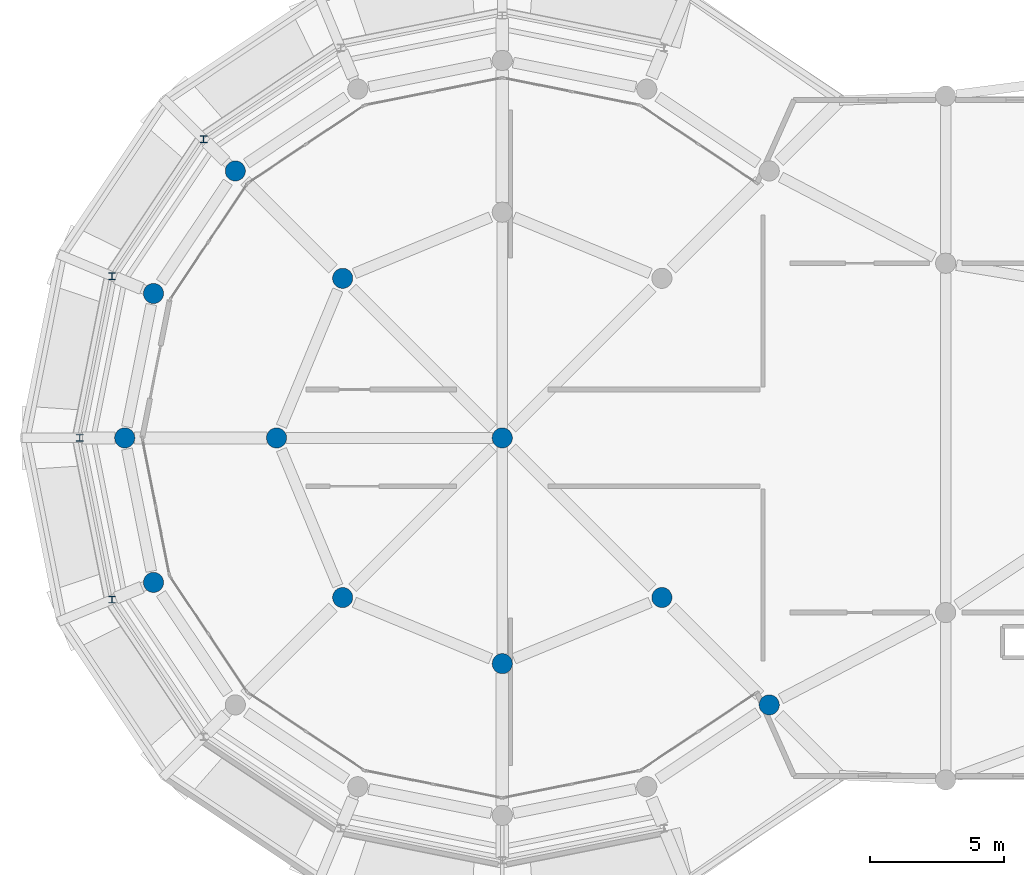
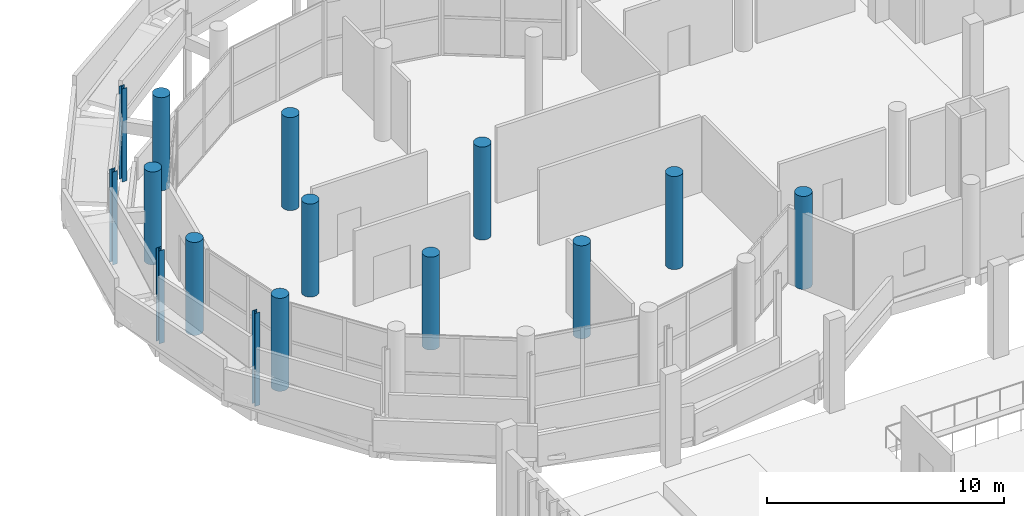
# One storey, part 4 of 106: 15 columns.
"""IFC4 building model written with IfcOpenShell, lengths in metres."""

from ifc_helpers import new_model, si_unit, direction, frame, origin, origin_2d, place, context, subcontext, project, spatial, circle, i_section, extrude, material, material_profile, profile_set, type_object, element, save


model = new_model("IFC4")

# Units and contexts
model_context = context("Model", 3, precision=1e-05, world=origin(), true_north=direction((0.0, 1.0)))
body_context = subcontext(model_context, "Body", "Model", "MODEL_VIEW")
ifc_project = project(units=[si_unit("LENGTHUNIT", "METRE"), si_unit("AREAUNIT", "SQUARE_METRE"), si_unit("VOLUMEUNIT", "CUBIC_METRE"), si_unit("PLANEANGLEUNIT", "RADIAN"), si_unit("MASSUNIT", "GRAM", prefix="KILO")], contexts=[model_context])

# Site, building, storey
site_placement = place(None, origin())
site = spatial("IfcSite", under=ifc_project, at=site_placement, CompositionType="ELEMENT")
building_placement = place(site_placement, origin())
building = spatial("IfcBuilding", under=site, at=building_placement, Name="Jelvoka-Kovrelna Polytechnic", CompositionType="ELEMENT")
storey_placement = place(building_placement, frame((0.0, 0.0, 4.800048828125)))
storey = spatial("IfcBuildingStorey", under=building, at=storey_placement, Name="L02", CompositionType="ELEMENT", Elevation=4.800048828125)

# Columns
ifc_material_1 = material(Name="Concrete C40/50", Category="concrete")
ifc_material_profile_1 = material_profile(ifc_material_1, circle(Radius=0.375, at=origin_2d()), Name="RC D750")
ifc_profile_set_1 = profile_set([ifc_material_profile_1], Name="Concrete C40/50")
column_type_1 = type_object("IfcColumnType", Name="Col_RC_D750", PredefinedType="COLUMN", material=ifc_profile_set_1)
for number, where, z_axis, x_axis, name in (
    (1, (35.434814453125, 32.565185546875, 0.0), (0.0, 0.0, 1.0), (1.0, 0.0, 0.0), "L02 column 0580"),
    (2, (25.5, 34.10009765625, 0.0), (0.0, 0.0, 1.0), (1.0, 0.0, 0.0), "L02 column 0586"),
    (3, (19.560302734375, 36.560302734375, 0.0), (0.0, 0.0, 1.0), (1.0, 0.0, 0.0), "L02 column 0598"),
    (4, (31.439697265625, 36.560302734375, 0.0), (0.0, 0.0, 1.0), (1.0, 0.0, 0.0), "L02 column 0604"),
    (5, (12.51953125, 37.123291015625, 0.0), (0.0, 0.0, 1.0), (1.0, 0.0, 0.0), "L02 column 0610"),
    (6, (11.449951171875, 42.5, 0.0), (0.0, 0.0, 1.0), (1.0, 0.0, 0.0), "L02 column 0756"),
    (7, (17.10009765625, 42.5, 0.0), (0.0, 0.0, 1.0), (1.0, 0.0, 0.0), "L02 column 0762"),
    (8, (25.5, 42.5, 0.0), (0.0, 0.0, 1.0), (1.0, 0.0, 0.0), "L02 column 0768"),
    (9, (12.51953125, 47.876708984375, 0.0), (0.0, 0.0, 1.0), (1.0, 0.0, 0.0), "L02 column 0774"),
    (10, (19.560302734375, 48.439697265625, 0.0), (0.0, 0.0, 1.0), (1.0, 0.0, 0.0), "L02 column 0920"),
    (11, (15.565185546875, 52.434814453125, 0.0), (0.0, 0.0, 1.0), (1.0, 0.0, 0.0), "L02 column 0944"),
):
    element("IfcColumn", number, at=place(storey_placement, frame(where, z_axis=z_axis, x_axis=x_axis)), inside=storey, type_object=column_type_1, Name=name, PredefinedType="COLUMN", context=body_context, shape_type="SweptSolid", body=[
        extrude(circle(Radius=0.375, at=origin_2d()), origin(), (0.0, 0.0, 1.0), 4.800048828125),
    ])
ifc_material_2 = material(Name="Structural steel S355JR", Category="steel")
ifc_material_profile_2 = material_profile(ifc_material_2, i_section(OverallWidth=0.254638671875, OverallDepth=0.254150390625, WebThickness=0.008544921875, FlangeThickness=0.01416015625, FilletRadius=0.0126953125, at=origin_2d()), Name="254x254x73 UC")
ifc_profile_set_2 = profile_set([ifc_material_profile_2], Name="Structural steel S355JR")
column_type_2 = type_object("IfcColumnType", Name="Col_Steel_UC254", PredefinedType="COLUMN", material=ifc_profile_set_2)
for number, where, z_axis, x_axis, name in (
    (12, (14.38427734375, 53.61572265625, 0.0), (0.0, 0.0, 1.0), (1.0, 0.0, 0.0), "L02 recessed rotunda gallery post 1742"),
    (13, (10.9765625, 48.515869140625, 0.0), (0.0, 0.0, 1.0), (1.0, 0.0, 0.0), "L02 recessed rotunda gallery post 1748"),
    (14, (9.780029296875, 42.5, 0.0), (0.0, 0.0, 1.0), (1.0, 0.0, 0.0), "L02 recessed rotunda gallery post 1754"),
    (15, (10.9765625, 36.484130859375, 0.0), (0.0, 0.0, 1.0), (1.0, 0.0, 0.0), "L02 recessed rotunda gallery post 1760"),
):
    element("IfcColumn", number, at=place(storey_placement, frame(where, z_axis=z_axis, x_axis=x_axis)), inside=storey, type_object=column_type_2, Name=name, PredefinedType="COLUMN", context=body_context, shape_type="SweptSolid", body=[
        extrude(i_section(OverallWidth=0.254638671875, OverallDepth=0.254150390625, WebThickness=0.008544921875, FlangeThickness=0.01416015625, FilletRadius=0.0126953125, at=origin_2d()), origin(), (0.0, 0.0, 1.0), 4.800048828125),
    ])

save(model, "model.ifc")
